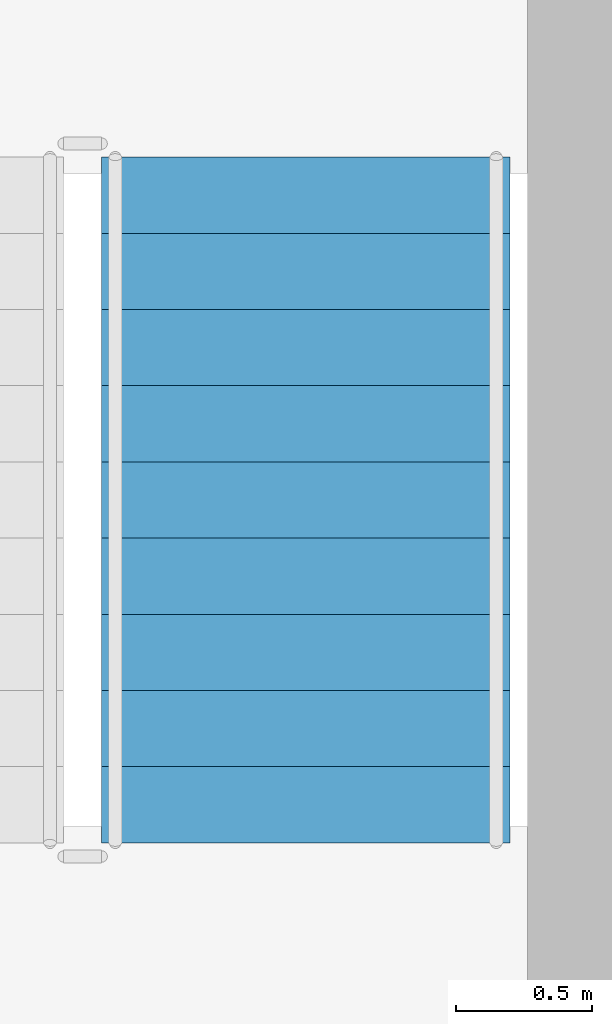
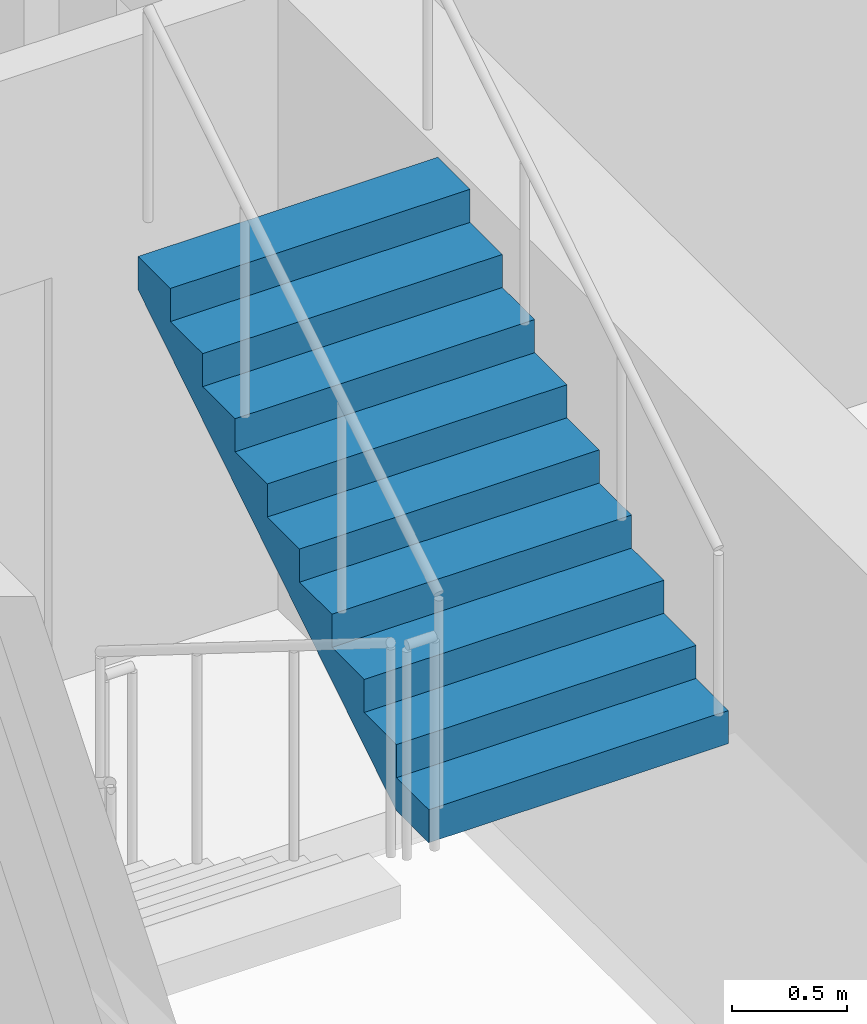
# One storey, part 6 of 11: 1 stair flight, 1 element without a shape of its own.
"""IFC4 building model written with IfcOpenShell, lengths in metres."""

import ifcopenshell
import ifcopenshell.guid

model = None  # the IFC model being written
_history = None  # IfcOwnerHistory: only IFC2X3 demands one
_inside = {}  # id of a spatial element -> (the spatial element, [elements in it])
_under = {}  # id of a project, library or spatial element -> (it, [spatial elements below it])
_declared = {}  # id of a project -> (the project, [libraries it declares])
_typed = {}  # id of a type object -> (the type object, [elements of that type])
_made_of = {}  # id of a material, layer set ... -> (it, [elements and type objects made of it])


def new_model(schema):
    """Start an empty IFC model of exactly this schema.

    Asked for "IFC4X3", IfcOpenShell would pick the latest addendum, in which some entities
    have other attributes; the version numbers below select the first issue.
    IFC2X3 requires an IfcOwnerHistory on every rooted entity: one is made here for all.
    """
    global model, _history
    if schema == "IFC4X3":
        model = ifcopenshell.file(schema_version=(4, 3, 0, 0))
    else:
        model = ifcopenshell.file(schema=schema)
    _inside.clear()
    _under.clear()
    _declared.clear()
    _typed.clear()
    _made_of.clear()
    _history = None
    if model.schema == "IFC2X3":
        org = make("IfcOrganization", Name="unknown")
        user = make(
            "IfcPersonAndOrganization",
            ThePerson=make("IfcPerson", FamilyName="unknown"),
            TheOrganization=org,
        )
        app = make(
            "IfcApplication",
            ApplicationDeveloper=org,
            Version="unknown",
            ApplicationFullName="unknown",
            ApplicationIdentifier="unknown",
        )
        _history = make(
            "IfcOwnerHistory",
            OwningUser=user,
            OwningApplication=app,
            ChangeAction="ADDED",
            CreationDate=0,
        )
    return model


def make(cls, **values):
    """One entity of the class cls with the attributes given. An attribute that is None is left unset."""
    return model.create_entity(
        cls, **{name: value for name, value in values.items() if value is not None}
    )


def rooted(cls, **values):
    """An entity with a GlobalId (a new one), such as an element, a storey or a relation."""
    return make(cls, GlobalId=ifcopenshell.guid.new(), OwnerHistory=_history, **values)


def si_unit(unit_type, name, prefix=None):
    """IfcSIUnit, for example si_unit("LENGTHUNIT", "METRE", prefix="MILLI")."""
    return make("IfcSIUnit", UnitType=unit_type, Prefix=prefix, Name=name)


def assignment(units):
    """IfcUnitAssignment: the units of a project."""
    return None if units is None else make("IfcUnitAssignment", Units=units)


def point(xyz):
    """IfcCartesianPoint."""
    return None if xyz is None else make("IfcCartesianPoint", Coordinates=xyz)


def direction(xyz):
    """IfcDirection."""
    return None if xyz is None else make("IfcDirection", DirectionRatios=xyz)


def frame(location, z_axis=None, x_axis=None):
    """IfcAxis2Placement3D, a coordinate frame: its origin and axes. An axis left out is left unset."""
    return make(
        "IfcAxis2Placement3D",
        Location=point(location),
        Axis=direction(z_axis),
        RefDirection=direction(x_axis),
    )


def origin():
    """The frame at (0, 0, 0) with its axes left unset."""
    return frame((0.0, 0.0, 0.0))


def place(relative_to, where):
    """IfcLocalPlacement: puts the frame where relative to a parent placement (None: the world)."""
    return make(
        "IfcLocalPlacement", PlacementRelTo=relative_to, RelativePlacement=where
    )


def context(
    kind, dimensions, precision=None, world=None, true_north=None, identifier=None
):
    """IfcGeometricRepresentationContext, for example the 3D "Model" context."""
    return make(
        "IfcGeometricRepresentationContext",
        ContextIdentifier=identifier,
        ContextType=kind,
        CoordinateSpaceDimension=dimensions,
        Precision=precision,
        WorldCoordinateSystem=world,
        TrueNorth=true_north,
    )


def subcontext(parent, identifier, kind, view, scale=None):
    """IfcGeometricRepresentationSubContext, for example "Body" below "Model"."""
    return make(
        "IfcGeometricRepresentationSubContext",
        ContextIdentifier=identifier,
        ContextType=kind,
        ParentContext=parent,
        TargetScale=scale,
        TargetView=view,
    )


def project(units=None, contexts=None):
    """IfcProject with its units and contexts."""
    return rooted(
        "IfcProject",
        Name="project",
        RepresentationContexts=contexts,
        UnitsInContext=assignment(units),
    )


def spatial(cls, under=None, at=None, **own):
    """A site, building, storey or space (cls), placed at a placement, below another one or the project."""
    s = rooted(cls, ObjectPlacement=at, **own)
    if under is not None:
        _under.setdefault(under.id(), (under, []))[1].append(s)
    return s


def polyline(points):
    """IfcPolyline through the points."""
    return make("IfcPolyline", Points=[point(p) for p in points])


def outline(outer, holes=None, kind="AREA"):
    """IfcArbitraryClosedProfileDef: a profile drawn as a closed curve; with holes, ...WithVoids."""
    if holes is None:
        return make("IfcArbitraryClosedProfileDef", ProfileType=kind, OuterCurve=outer)
    return make(
        "IfcArbitraryProfileDefWithVoids",
        ProfileType=kind,
        OuterCurve=outer,
        InnerCurves=holes,
    )


def extrude(swept, where, along, depth):
    """IfcExtrudedAreaSolid: the profile swept, set in the frame where, extruded along a direction by depth."""
    return make(
        "IfcExtrudedAreaSolid",
        SweptArea=swept,
        Position=where,
        ExtrudedDirection=direction(along),
        Depth=depth,
    )


def shape(context_of_items, identifier, shape_type, items):
    """IfcShapeRepresentation: the items that make up one representation, for example the "Body"."""
    return make(
        "IfcShapeRepresentation",
        ContextOfItems=context_of_items,
        RepresentationIdentifier=identifier,
        RepresentationType=shape_type,
        Items=items,
    )


def material(Name=None, Category=None):
    """IfcMaterial."""
    return make("IfcMaterial", Name=Name, Category=Category)


def made_of(thing, what):
    """Note that an element or type object is made of a material, layer set ...; save() writes the relation."""
    if what is not None:
        _made_of.setdefault(what.id(), (what, []))[1].append(thing)
    return thing


def type_object(cls, material=None, **own):
    """A type object (cls), such as IfcWallType, which elements share."""
    return made_of(rooted(cls, **own), material)


def element(
    cls,
    number,
    at=None,
    inside=None,
    cuts=None,
    type_object=None,
    material=None,
    context=None,
    identifier="Body",
    shape_type=None,
    held_by="IfcProductDefinitionShape",
    body=None,
    shapes=None,
    **own,
):
    """One element of the class cls, such as IfcWall. Its Tag is "e" and its number.

    at: its placement. inside: the storey or other place that contains it. cuts: it is an
    opening in that element (IfcRelVoidsElement). A single representation is given by context,
    identifier, shape_type and body (its items); several are given by shapes. held_by: the class
    of the entity that holds the representations. save() writes the other relations.
    """
    e = rooted(cls, Tag="e%d" % number, ObjectPlacement=at, **own)
    if body is not None:
        shapes = [shape(context, identifier, shape_type, body)]
    if shapes is not None:
        e.Representation = make(held_by, Representations=shapes)
    if inside is not None:
        _inside.setdefault(inside.id(), (inside, []))[1].append(e)
    if cuts is not None:
        rooted(
            "IfcRelVoidsElement", RelatingBuildingElement=cuts, RelatedOpeningElement=e
        )
    if type_object is not None:
        _typed.setdefault(type_object.id(), (type_object, []))[1].append(e)
    return made_of(e, material)


def aggregate(whole, parts):
    """IfcRelAggregates: a whole, such as a stair, and the parts it consists of."""
    return rooted("IfcRelAggregates", RelatingObject=whole, RelatedObjects=parts)


def save(model, path):
    """Write the relations noted so far, then the file.

    IfcRelAggregates (storeys below a building ...), IfcRelContainedInSpatialStructure (elements
    in a storey), IfcRelDefinesByType, IfcRelAssociatesMaterial and IfcRelDeclares: one each for
    every whole, place, type object, material and project.
    """
    for whole, parts in _under.values():
        aggregate(whole, parts)
    for where, things in _inside.values():
        rooted(
            "IfcRelContainedInSpatialStructure",
            RelatedElements=things,
            RelatingStructure=where,
        )
    for kind, things in _typed.values():
        rooted("IfcRelDefinesByType", RelatedObjects=things, RelatingType=kind)
    for what, things in _made_of.values():
        rooted("IfcRelAssociatesMaterial", RelatedObjects=things, RelatingMaterial=what)
    for by, libraries in _declared.values():
        rooted("IfcRelDeclares", RelatingContext=by, RelatedDefinitions=libraries)
    model.write(path)


model = new_model("IFC4")

# Units and contexts
model_context = context("Model", 3, precision=1e-05, world=origin(), true_north=direction((0.0, 1.0)))
body_context = subcontext(model_context, "Body", "Model", "MODEL_VIEW")
ifc_project = project(units=[si_unit("LENGTHUNIT", "METRE"), si_unit("AREAUNIT", "SQUARE_METRE"), si_unit("VOLUMEUNIT", "CUBIC_METRE"), si_unit("PLANEANGLEUNIT", "RADIAN"), si_unit("MASSUNIT", "GRAM", prefix="KILO")], contexts=[model_context])

# Site, building, storey
site_placement = place(None, origin())
site = spatial("IfcSite", under=ifc_project, at=site_placement, CompositionType="ELEMENT")
building_placement = place(site_placement, origin())
building = spatial("IfcBuilding", under=site, at=building_placement, Name="Cairnveth Concourse Tower", CompositionType="ELEMENT")
storey_placement = place(building_placement, frame((0.0, 0.0, 51.5)))
storey = spatial("IfcBuildingStorey", under=building, at=storey_placement, Name="L13", CompositionType="ELEMENT", Elevation=51.5)

# Stair, stair flight
ifc_material = material(Name="Precast concrete N50 (50 MPa)", Category="concrete")
stair_type = type_object("IfcStairType", Name="CORE DOG-LEG FIRE STAIR 1500", PredefinedType="HALF_TURN_STAIR", material=ifc_material)
stair_placement = place(storey_placement, origin())
stair = element("IfcStair", 1, at=stair_placement, inside=storey, type_object=stair_type, Name="L13 Fire-Isolated Stair ST-2", PredefinedType="HALF_TURN_STAIR")
stair_flight_type = type_object("IfcStairFlightType", Name="PRECAST CONCRETE STAIR FLIGHT 1500", PredefinedType="STRAIGHT", material=ifc_material)
stair_flight_placement = place(storey_placement, frame((59.409912109375, 34.580078125, 1.75), z_axis=(0.0, 0.0, 1.0), x_axis=(0.0, 1.0, 0.0)))
stair_flight = element("IfcStairFlight", 2, at=stair_flight_placement, type_object=stair_flight_type, Name="ST-2 flight 2", NumberOfRisers=10, NumberOfTreads=9, PredefinedType="STRAIGHT", RiserHeight=0.175, TreadLength=0.28, context=body_context, shape_type="SweptSolid", body=[
    extrude(outline(polyline([(0.0, 0.0), (0.0, 0.175048828125), (0.280029296875, 0.175048828125), (0.280029296875, 0.35009765625), (0.56005859375, 0.35009765625), (0.56005859375, 0.52490234375), (0.840087890625, 0.52490234375), (0.840087890625, 0.699951171875), (1.1201171875, 0.699951171875), (1.1201171875, 0.875), (1.39990234375, 0.875), (1.39990234375, 1.050048828125), (1.679931640625, 1.050048828125), (1.679931640625, 1.22509765625), (1.9599609375, 1.22509765625), (1.9599609375, 1.39990234375), (2.239990234375, 1.39990234375), (2.239990234375, 1.574951171875), (2.52001953125, 1.574951171875), (2.52001953125, 1.75), (2.52001953125, 1.398193359375), (0.28271484375, 0.0), (0.0, 0.0)])), frame((0.0, 0.75, 0.0), z_axis=(0.0, -1.0, 0.0), x_axis=(1.0, 0.0, 0.0)), (0.0, 0.0, 1.0), 1.5),
])
aggregate(stair, [stair_flight])

save(model, "model.ifc")
